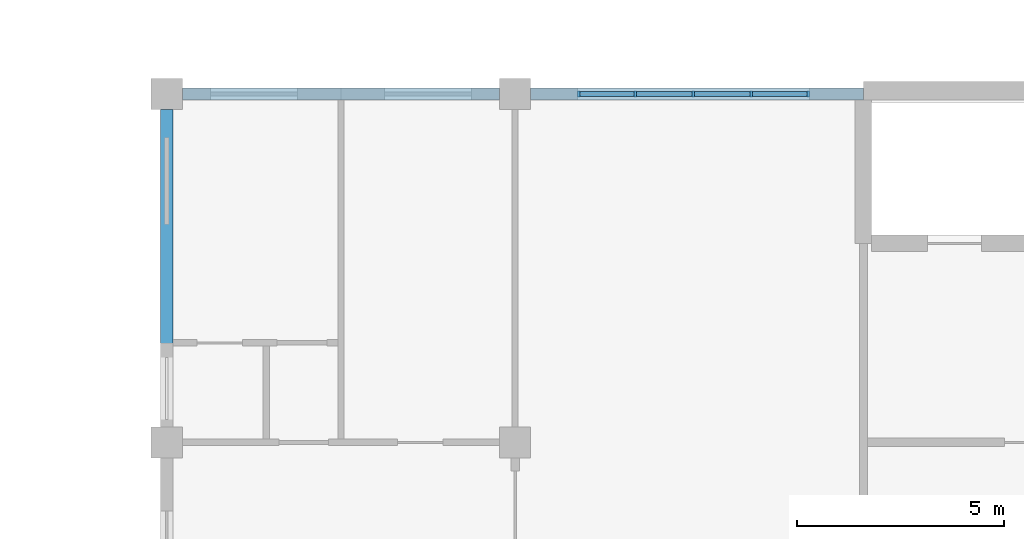
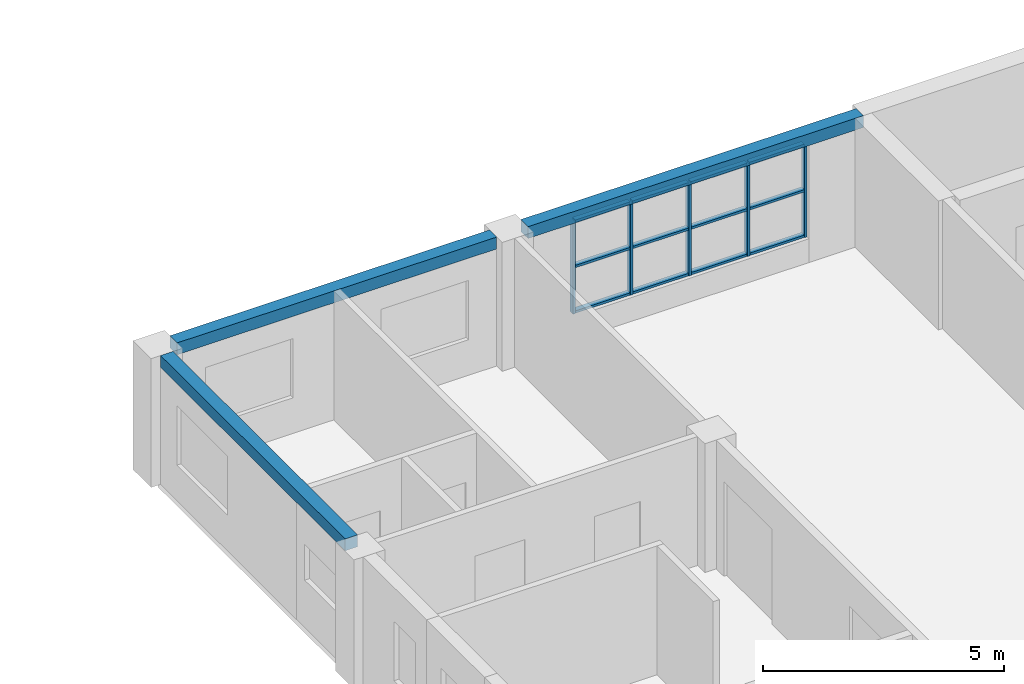
# One storey, part 9 of 45: 17 members, 3 beams, 1 element without a shape of its own.
"""IFC4 building model written with IfcOpenShell, lengths in metres."""

from ifc_helpers import new_model, si_unit, direction, frame, origin, origin_2d, place, context, subcontext, project, spatial, rectangle, extrude, material, material_profile, profile_set, type_object, element, aggregate, save


model = new_model("IFC4")

# Units and contexts
model_context = context("Model", 3, precision=1e-05, world=origin(), true_north=direction((0.0, 1.0)))
body_context = subcontext(model_context, "Body", "Model", "MODEL_VIEW")
ifc_project = project(units=[si_unit("LENGTHUNIT", "METRE"), si_unit("AREAUNIT", "SQUARE_METRE"), si_unit("VOLUMEUNIT", "CUBIC_METRE"), si_unit("PLANEANGLEUNIT", "RADIAN"), si_unit("MASSUNIT", "GRAM", prefix="KILO")], contexts=[model_context])

# Site, building, storey
site_placement = place(None, origin())
site = spatial("IfcSite", under=ifc_project, at=site_placement, CompositionType="ELEMENT")
building_placement = place(site_placement, origin())
building = spatial("IfcBuilding", under=site, at=building_placement, Name="Yavir Park General Hospital", CompositionType="ELEMENT")
storey_placement = place(building_placement, frame((0.0, 0.0, 22.5)))
storey = spatial("IfcBuildingStorey", under=building, at=storey_placement, Name="L05", CompositionType="ELEMENT", Elevation=22.5)

# Curtain wall, members
ifc_material_1 = material(Name="Aluminium curtain wall frame with insulated glazing", Category="aluminium")
curtain_wall_type = type_object("IfcCurtainWallType", Name="Day room pocket glazing, ward floors, 2360 high, 1400 module", PredefinedType="NOTDEFINED", material=ifc_material_1)
curtain_wall_placement = place(storey_placement, origin())
curtain_wall = element("IfcCurtainWall", 1, at=curtain_wall_placement, inside=storey, type_object=curtain_wall_type, Name="CW6 L05-011", PredefinedType="NOTDEFINED")
ifc_material_2 = material(Name="Aluminium", Category="aluminium")
ifc_material_profile_1 = material_profile(ifc_material_2, rectangle(XDim=0.139892578125, YDim=0.06005859375, at=origin_2d()), Name="AL 60x140")
ifc_profile_set_1 = profile_set([ifc_material_profile_1], Name="Aluminium")
member_type_1 = type_object("IfcMemberType", Name="Day room pocket glazing, ward floors, 2360 high mullion 60 x 140", PredefinedType="MULLION", material=ifc_profile_set_1)
member_1_placement = place(storey_placement, frame((110.72998046875, 25.199951171875, 0.60009765625), z_axis=(0.0, 0.0, 1.0), x_axis=(0.0, 1.0, 0.0)))
member_1 = element("IfcMember", 2, at=member_1_placement, type_object=member_type_1, Name="CW6 mullion 1", PredefinedType="MULLION", context=body_context, shape_type="SweptSolid", body=[
    extrude(rectangle(XDim=0.139892578125, YDim=0.06005859375, at=origin_2d()), origin(), (0.0, 0.0, 1.0), 2.35986328125),
])
member_2_placement = place(storey_placement, frame((112.10009765625, 25.199951171875, 0.60009765625), z_axis=(0.0, 0.0, 1.0), x_axis=(0.0, 1.0, 0.0)))
member_2 = element("IfcMember", 3, at=member_2_placement, type_object=member_type_1, Name="CW6 mullion 2", PredefinedType="MULLION", context=body_context, shape_type="SweptSolid", body=[
    extrude(rectangle(XDim=0.139892578125, YDim=0.06005859375, at=origin_2d()), origin(), (0.0, 0.0, 1.0), 2.35986328125),
])
member_3_placement = place(storey_placement, frame((113.5, 25.199951171875, 0.60009765625), z_axis=(0.0, 0.0, 1.0), x_axis=(0.0, 1.0, 0.0)))
member_3 = element("IfcMember", 4, at=member_3_placement, type_object=member_type_1, Name="CW6 mullion 3", PredefinedType="MULLION", context=body_context, shape_type="SweptSolid", body=[
    extrude(rectangle(XDim=0.139892578125, YDim=0.06005859375, at=origin_2d()), origin(), (0.0, 0.0, 1.0), 2.35986328125),
])
member_4_placement = place(storey_placement, frame((114.89990234375, 25.199951171875, 0.60009765625), z_axis=(0.0, 0.0, 1.0), x_axis=(0.0, 1.0, 0.0)))
member_4 = element("IfcMember", 5, at=member_4_placement, type_object=member_type_1, Name="CW6 mullion 4", PredefinedType="MULLION", context=body_context, shape_type="SweptSolid", body=[
    extrude(rectangle(XDim=0.139892578125, YDim=0.06005859375, at=origin_2d()), origin(), (0.0, 0.0, 1.0), 2.35986328125),
])
member_5_placement = place(storey_placement, frame((116.27001953125, 25.199951171875, 0.60009765625), z_axis=(0.0, 0.0, 1.0), x_axis=(0.0, 1.0, 0.0)))
member_5 = element("IfcMember", 6, at=member_5_placement, type_object=member_type_1, Name="CW6 mullion 5", PredefinedType="MULLION", context=body_context, shape_type="SweptSolid", body=[
    extrude(rectangle(XDim=0.139892578125, YDim=0.06005859375, at=origin_2d()), origin(), (0.0, 0.0, 1.0), 2.35986328125),
])
ifc_material_3 = material(Name="Aluminium", Category="aluminium")
ifc_material_profile_2 = material_profile(ifc_material_3, rectangle(XDim=0.1201171875, YDim=0.06005859375, at=origin_2d()), Name="AL 120x60")
ifc_profile_set_2 = profile_set([ifc_material_profile_2], Name="Aluminium")
member_type_2 = type_object("IfcMemberType", Name="Day room pocket glazing, ward floors, 2360 high transom 60 x 120", PredefinedType="MULLION", material=ifc_profile_set_2)
member_6_placement = place(storey_placement, frame((110.760009765625, 25.199951171875, 0.6298828125), z_axis=(1.0, 0.0, 0.0), x_axis=(0.0, 1.0, 0.0)))
member_6 = element("IfcMember", 7, at=member_6_placement, type_object=member_type_2, Name="CW6 transom 1.1", PredefinedType="MULLION", context=body_context, shape_type="SweptSolid", body=[
    extrude(rectangle(XDim=0.1201171875, YDim=0.06005859375, at=origin_2d()), origin(), (0.0, 0.0, 1.0), 1.31005859375),
])
member_7_placement = place(storey_placement, frame((110.760009765625, 25.199951171875, 1.780029296875), z_axis=(1.0, 0.0, 0.0), x_axis=(0.0, 1.0, 0.0)))
member_7 = element("IfcMember", 8, at=member_7_placement, type_object=member_type_2, Name="CW6 transom 1.2", PredefinedType="MULLION", context=body_context, shape_type="SweptSolid", body=[
    extrude(rectangle(XDim=0.1201171875, YDim=0.06005859375, at=origin_2d()), origin(), (0.0, 0.0, 1.0), 1.31005859375),
])
member_8_placement = place(storey_placement, frame((110.760009765625, 25.199951171875, 2.929931640625), z_axis=(1.0, 0.0, 0.0), x_axis=(0.0, 1.0, 0.0)))
member_8 = element("IfcMember", 9, at=member_8_placement, type_object=member_type_2, Name="CW6 transom 1.3", PredefinedType="MULLION", context=body_context, shape_type="SweptSolid", body=[
    extrude(rectangle(XDim=0.1201171875, YDim=0.06005859375, at=origin_2d()), origin(), (0.0, 0.0, 1.0), 1.31005859375),
])
member_9_placement = place(storey_placement, frame((112.1298828125, 25.199951171875, 0.6298828125), z_axis=(1.0, 0.0, 0.0), x_axis=(0.0, 1.0, 0.0)))
member_9 = element("IfcMember", 10, at=member_9_placement, type_object=member_type_2, Name="CW6 transom 2.1", PredefinedType="MULLION", context=body_context, shape_type="SweptSolid", body=[
    extrude(rectangle(XDim=0.1201171875, YDim=0.06005859375, at=origin_2d()), origin(), (0.0, 0.0, 1.0), 1.340087890625),
])
member_10_placement = place(storey_placement, frame((112.1298828125, 25.199951171875, 1.780029296875), z_axis=(1.0, 0.0, 0.0), x_axis=(0.0, 1.0, 0.0)))
member_10 = element("IfcMember", 11, at=member_10_placement, type_object=member_type_2, Name="CW6 transom 2.2", PredefinedType="MULLION", context=body_context, shape_type="SweptSolid", body=[
    extrude(rectangle(XDim=0.1201171875, YDim=0.06005859375, at=origin_2d()), origin(), (0.0, 0.0, 1.0), 1.340087890625),
])
member_11_placement = place(storey_placement, frame((112.1298828125, 25.199951171875, 2.929931640625), z_axis=(1.0, 0.0, 0.0), x_axis=(0.0, 1.0, 0.0)))
member_11 = element("IfcMember", 12, at=member_11_placement, type_object=member_type_2, Name="CW6 transom 2.3", PredefinedType="MULLION", context=body_context, shape_type="SweptSolid", body=[
    extrude(rectangle(XDim=0.1201171875, YDim=0.06005859375, at=origin_2d()), origin(), (0.0, 0.0, 1.0), 1.340087890625),
])
member_12_placement = place(storey_placement, frame((113.530029296875, 25.199951171875, 0.6298828125), z_axis=(1.0, 0.0, 0.0), x_axis=(0.0, 1.0, 0.0)))
member_12 = element("IfcMember", 13, at=member_12_placement, type_object=member_type_2, Name="CW6 transom 3.1", PredefinedType="MULLION", context=body_context, shape_type="SweptSolid", body=[
    extrude(rectangle(XDim=0.1201171875, YDim=0.06005859375, at=origin_2d()), origin(), (0.0, 0.0, 1.0), 1.340087890625),
])
member_13_placement = place(storey_placement, frame((113.530029296875, 25.199951171875, 1.780029296875), z_axis=(1.0, 0.0, 0.0), x_axis=(0.0, 1.0, 0.0)))
member_13 = element("IfcMember", 14, at=member_13_placement, type_object=member_type_2, Name="CW6 transom 3.2", PredefinedType="MULLION", context=body_context, shape_type="SweptSolid", body=[
    extrude(rectangle(XDim=0.1201171875, YDim=0.06005859375, at=origin_2d()), origin(), (0.0, 0.0, 1.0), 1.340087890625),
])
member_14_placement = place(storey_placement, frame((113.530029296875, 25.199951171875, 2.929931640625), z_axis=(1.0, 0.0, 0.0), x_axis=(0.0, 1.0, 0.0)))
member_14 = element("IfcMember", 15, at=member_14_placement, type_object=member_type_2, Name="CW6 transom 3.3", PredefinedType="MULLION", context=body_context, shape_type="SweptSolid", body=[
    extrude(rectangle(XDim=0.1201171875, YDim=0.06005859375, at=origin_2d()), origin(), (0.0, 0.0, 1.0), 1.340087890625),
])
member_15_placement = place(storey_placement, frame((114.929931640625, 25.199951171875, 0.6298828125), z_axis=(1.0, 0.0, 0.0), x_axis=(0.0, 1.0, 0.0)))
member_15 = element("IfcMember", 16, at=member_15_placement, type_object=member_type_2, Name="CW6 transom 4.1", PredefinedType="MULLION", context=body_context, shape_type="SweptSolid", body=[
    extrude(rectangle(XDim=0.1201171875, YDim=0.06005859375, at=origin_2d()), origin(), (0.0, 0.0, 1.0), 1.31005859375),
])
member_16_placement = place(storey_placement, frame((114.929931640625, 25.199951171875, 1.780029296875), z_axis=(1.0, 0.0, 0.0), x_axis=(0.0, 1.0, 0.0)))
member_16 = element("IfcMember", 17, at=member_16_placement, type_object=member_type_2, Name="CW6 transom 4.2", PredefinedType="MULLION", context=body_context, shape_type="SweptSolid", body=[
    extrude(rectangle(XDim=0.1201171875, YDim=0.06005859375, at=origin_2d()), origin(), (0.0, 0.0, 1.0), 1.31005859375),
])
member_17_placement = place(storey_placement, frame((114.929931640625, 25.199951171875, 2.929931640625), z_axis=(1.0, 0.0, 0.0), x_axis=(0.0, 1.0, 0.0)))
member_17 = element("IfcMember", 18, at=member_17_placement, type_object=member_type_2, Name="CW6 transom 4.3", PredefinedType="MULLION", context=body_context, shape_type="SweptSolid", body=[
    extrude(rectangle(XDim=0.1201171875, YDim=0.06005859375, at=origin_2d()), origin(), (0.0, 0.0, 1.0), 1.31005859375),
])
aggregate(curtain_wall, [member_1, member_2, member_3, member_4, member_5, member_6, member_7, member_8, member_9, member_10, member_11, member_12, member_13, member_14, member_15, member_16, member_17])

# Beams
ifc_material_4 = material(Name="Concrete C35/45", Category="concrete")
ifc_material_profile_3 = material_profile(ifc_material_4, rectangle(XDim=0.300048828125, YDim=0.300048828125, at=origin_2d()), Name="RC300x300")
ifc_profile_set_3 = profile_set([ifc_material_profile_3], Name="Concrete C35/45")
beam_type = type_object("IfcBeamType", Name="RC BEAM 300x300 edge beam", PredefinedType="BEAM", material=ifc_profile_set_3)
beam_1_placement = place(storey_placement, frame((101.175048828125, 25.199951171875, 3.110107421875), z_axis=(1.0, 0.0, 0.0), x_axis=(0.0, 1.0, 0.0)))
element("IfcBeam", 19, at=beam_1_placement, inside=storey, type_object=beam_type, Name="B:EDGE:L05:012", PredefinedType="BEAM", context=body_context, shape_type="SweptSolid", body=[
    extrude(rectangle(XDim=0.300048828125, YDim=0.300048828125, at=origin_2d()), origin(), (0.0, 0.0, 1.0), 7.64990234375),
])
beam_2_placement = place(storey_placement, frame((109.574951171875, 25.199951171875, 3.110107421875), z_axis=(1.0, 0.0, 0.0), x_axis=(0.0, 1.0, 0.0)))
element("IfcBeam", 20, at=beam_2_placement, inside=storey, type_object=beam_type, Name="B:EDGE:L05:013", PredefinedType="BEAM", context=body_context, shape_type="SweptSolid", body=[
    extrude(rectangle(XDim=0.300048828125, YDim=0.300048828125, at=origin_2d()), origin(), (0.0, 0.0, 1.0), 8.025146484375),
])
beam_3_placement = place(storey_placement, frame((100.800048828125, 17.175048828125, 3.110107421875), z_axis=(0.0, 1.0, 0.0), x_axis=(-1.0, 0.0, 0.0)))
element("IfcBeam", 21, at=beam_3_placement, inside=storey, type_object=beam_type, Name="B:EDGE:L05:036", PredefinedType="BEAM", context=body_context, shape_type="SweptSolid", body=[
    extrude(rectangle(XDim=0.300048828125, YDim=0.300048828125, at=origin_2d()), origin(), (0.0, 0.0, 1.0), 7.64990234375),
])

save(model, "model.ifc")
